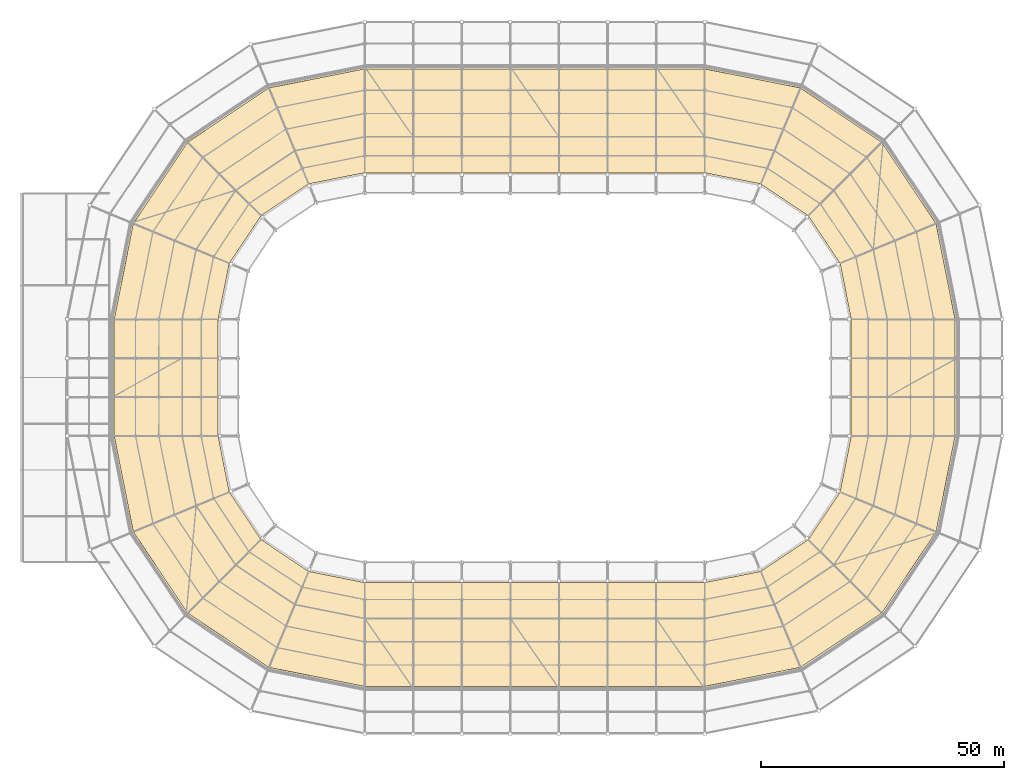
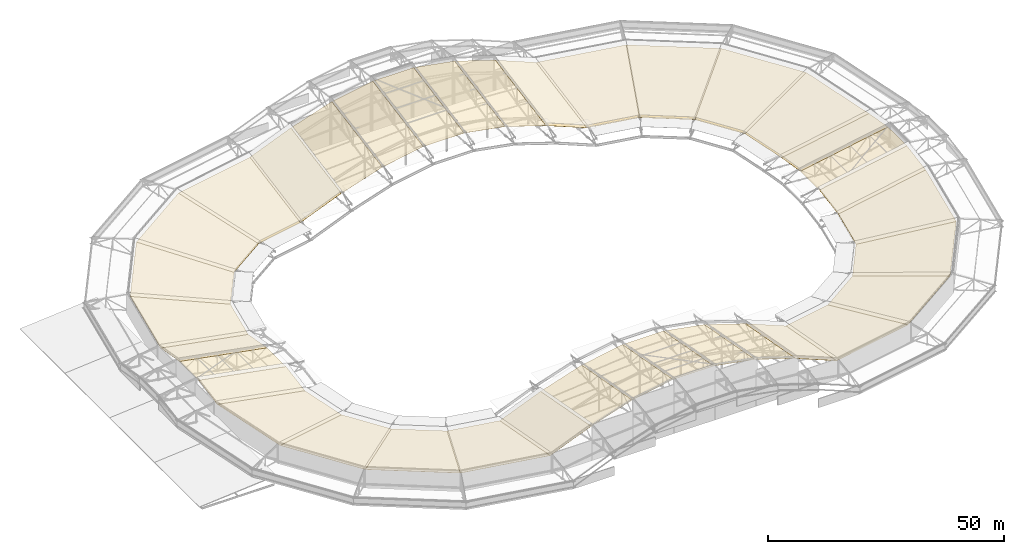
# One storey, part 146 of 146: 36 coverings, 1 element without a shape of its own.
"""IFC4 building model written with IfcOpenShell, lengths in metres."""

import ifcopenshell
import ifcopenshell.guid

model = None  # the IFC model being written
_history = None  # IfcOwnerHistory: only IFC2X3 demands one
_inside = {}  # id of a spatial element -> (the spatial element, [elements in it])
_under = {}  # id of a project, library or spatial element -> (it, [spatial elements below it])
_declared = {}  # id of a project -> (the project, [libraries it declares])
_typed = {}  # id of a type object -> (the type object, [elements of that type])
_made_of = {}  # id of a material, layer set ... -> (it, [elements and type objects made of it])


def new_model(schema):
    """Start an empty IFC model of exactly this schema.

    Asked for "IFC4X3", IfcOpenShell would pick the latest addendum, in which some entities
    have other attributes; the version numbers below select the first issue.
    IFC2X3 requires an IfcOwnerHistory on every rooted entity: one is made here for all.
    """
    global model, _history
    if schema == "IFC4X3":
        model = ifcopenshell.file(schema_version=(4, 3, 0, 0))
    else:
        model = ifcopenshell.file(schema=schema)
    _inside.clear()
    _under.clear()
    _declared.clear()
    _typed.clear()
    _made_of.clear()
    _history = None
    if model.schema == "IFC2X3":
        org = make("IfcOrganization", Name="unknown")
        user = make(
            "IfcPersonAndOrganization",
            ThePerson=make("IfcPerson", FamilyName="unknown"),
            TheOrganization=org,
        )
        app = make(
            "IfcApplication",
            ApplicationDeveloper=org,
            Version="unknown",
            ApplicationFullName="unknown",
            ApplicationIdentifier="unknown",
        )
        _history = make(
            "IfcOwnerHistory",
            OwningUser=user,
            OwningApplication=app,
            ChangeAction="ADDED",
            CreationDate=0,
        )
    return model


def make(cls, **values):
    """One entity of the class cls with the attributes given. An attribute that is None is left unset."""
    return model.create_entity(
        cls, **{name: value for name, value in values.items() if value is not None}
    )


def rooted(cls, **values):
    """An entity with a GlobalId (a new one), such as an element, a storey or a relation."""
    return make(cls, GlobalId=ifcopenshell.guid.new(), OwnerHistory=_history, **values)


def si_unit(unit_type, name, prefix=None):
    """IfcSIUnit, for example si_unit("LENGTHUNIT", "METRE", prefix="MILLI")."""
    return make("IfcSIUnit", UnitType=unit_type, Prefix=prefix, Name=name)


def assignment(units):
    """IfcUnitAssignment: the units of a project."""
    return None if units is None else make("IfcUnitAssignment", Units=units)


def point(xyz):
    """IfcCartesianPoint."""
    return None if xyz is None else make("IfcCartesianPoint", Coordinates=xyz)


def direction(xyz):
    """IfcDirection."""
    return None if xyz is None else make("IfcDirection", DirectionRatios=xyz)


def frame(location, z_axis=None, x_axis=None):
    """IfcAxis2Placement3D, a coordinate frame: its origin and axes. An axis left out is left unset."""
    return make(
        "IfcAxis2Placement3D",
        Location=point(location),
        Axis=direction(z_axis),
        RefDirection=direction(x_axis),
    )


def origin():
    """The frame at (0, 0, 0) with its axes left unset."""
    return frame((0.0, 0.0, 0.0))


def place(relative_to, where):
    """IfcLocalPlacement: puts the frame where relative to a parent placement (None: the world)."""
    return make(
        "IfcLocalPlacement", PlacementRelTo=relative_to, RelativePlacement=where
    )


def context(
    kind, dimensions, precision=None, world=None, true_north=None, identifier=None
):
    """IfcGeometricRepresentationContext, for example the 3D "Model" context."""
    return make(
        "IfcGeometricRepresentationContext",
        ContextIdentifier=identifier,
        ContextType=kind,
        CoordinateSpaceDimension=dimensions,
        Precision=precision,
        WorldCoordinateSystem=world,
        TrueNorth=true_north,
    )


def subcontext(parent, identifier, kind, view, scale=None):
    """IfcGeometricRepresentationSubContext, for example "Body" below "Model"."""
    return make(
        "IfcGeometricRepresentationSubContext",
        ContextIdentifier=identifier,
        ContextType=kind,
        ParentContext=parent,
        TargetScale=scale,
        TargetView=view,
    )


def project(units=None, contexts=None):
    """IfcProject with its units and contexts."""
    return rooted(
        "IfcProject",
        Name="project",
        RepresentationContexts=contexts,
        UnitsInContext=assignment(units),
    )


def spatial(cls, under=None, at=None, **own):
    """A site, building, storey or space (cls), placed at a placement, below another one or the project."""
    s = rooted(cls, ObjectPlacement=at, **own)
    if under is not None:
        _under.setdefault(under.id(), (under, []))[1].append(s)
    return s


def polyline(points):
    """IfcPolyline through the points."""
    return make("IfcPolyline", Points=[point(p) for p in points])


def outline(outer, holes=None, kind="AREA"):
    """IfcArbitraryClosedProfileDef: a profile drawn as a closed curve; with holes, ...WithVoids."""
    if holes is None:
        return make("IfcArbitraryClosedProfileDef", ProfileType=kind, OuterCurve=outer)
    return make(
        "IfcArbitraryProfileDefWithVoids",
        ProfileType=kind,
        OuterCurve=outer,
        InnerCurves=holes,
    )


def extrude(swept, where, along, depth):
    """IfcExtrudedAreaSolid: the profile swept, set in the frame where, extruded along a direction by depth."""
    return make(
        "IfcExtrudedAreaSolid",
        SweptArea=swept,
        Position=where,
        ExtrudedDirection=direction(along),
        Depth=depth,
    )


def shape(context_of_items, identifier, shape_type, items):
    """IfcShapeRepresentation: the items that make up one representation, for example the "Body"."""
    return make(
        "IfcShapeRepresentation",
        ContextOfItems=context_of_items,
        RepresentationIdentifier=identifier,
        RepresentationType=shape_type,
        Items=items,
    )


def material(Name=None, Category=None):
    """IfcMaterial."""
    return make("IfcMaterial", Name=Name, Category=Category)


def layer(
    of_material, thickness, ventilated=None, Name=None, Category=None, Priority=None
):
    """IfcMaterialLayer: one layer of a wall or slab, of a material (None: an air gap)."""
    return make(
        "IfcMaterialLayer",
        Material=of_material,
        LayerThickness=thickness,
        IsVentilated=ventilated,
        Name=Name,
        Category=Category,
        Priority=Priority,
    )


def layer_set(layers, Name=None):
    """IfcMaterialLayerSet."""
    return make("IfcMaterialLayerSet", MaterialLayers=layers, LayerSetName=Name)


def made_of(thing, what):
    """Note that an element or type object is made of a material, layer set ...; save() writes the relation."""
    if what is not None:
        _made_of.setdefault(what.id(), (what, []))[1].append(thing)
    return thing


def type_object(cls, material=None, **own):
    """A type object (cls), such as IfcWallType, which elements share."""
    return made_of(rooted(cls, **own), material)


def element(
    cls,
    number,
    at=None,
    inside=None,
    cuts=None,
    type_object=None,
    material=None,
    context=None,
    identifier="Body",
    shape_type=None,
    held_by="IfcProductDefinitionShape",
    body=None,
    shapes=None,
    **own,
):
    """One element of the class cls, such as IfcWall. Its Tag is "e" and its number.

    at: its placement. inside: the storey or other place that contains it. cuts: it is an
    opening in that element (IfcRelVoidsElement). A single representation is given by context,
    identifier, shape_type and body (its items); several are given by shapes. held_by: the class
    of the entity that holds the representations. save() writes the other relations.
    """
    e = rooted(cls, Tag="e%d" % number, ObjectPlacement=at, **own)
    if body is not None:
        shapes = [shape(context, identifier, shape_type, body)]
    if shapes is not None:
        e.Representation = make(held_by, Representations=shapes)
    if inside is not None:
        _inside.setdefault(inside.id(), (inside, []))[1].append(e)
    if cuts is not None:
        rooted(
            "IfcRelVoidsElement", RelatingBuildingElement=cuts, RelatedOpeningElement=e
        )
    if type_object is not None:
        _typed.setdefault(type_object.id(), (type_object, []))[1].append(e)
    return made_of(e, material)


def aggregate(whole, parts):
    """IfcRelAggregates: a whole, such as a stair, and the parts it consists of."""
    return rooted("IfcRelAggregates", RelatingObject=whole, RelatedObjects=parts)


def save(model, path):
    """Write the relations noted so far, then the file.

    IfcRelAggregates (storeys below a building ...), IfcRelContainedInSpatialStructure (elements
    in a storey), IfcRelDefinesByType, IfcRelAssociatesMaterial and IfcRelDeclares: one each for
    every whole, place, type object, material and project.
    """
    for whole, parts in _under.values():
        aggregate(whole, parts)
    for where, things in _inside.values():
        rooted(
            "IfcRelContainedInSpatialStructure",
            RelatedElements=things,
            RelatingStructure=where,
        )
    for kind, things in _typed.values():
        rooted("IfcRelDefinesByType", RelatedObjects=things, RelatingType=kind)
    for what, things in _made_of.values():
        rooted("IfcRelAssociatesMaterial", RelatedObjects=things, RelatingMaterial=what)
    for by, libraries in _declared.values():
        rooted("IfcRelDeclares", RelatingContext=by, RelatedDefinitions=libraries)
    model.write(path)


model = new_model("IFC4")

# Units and contexts
model_context = context("Model", 3, precision=1e-05, world=origin(), true_north=direction((0.0, 1.0)))
body_context = subcontext(model_context, "Body", "Model", "MODEL_VIEW")
ifc_project = project(units=[si_unit("LENGTHUNIT", "METRE"), si_unit("AREAUNIT", "SQUARE_METRE"), si_unit("VOLUMEUNIT", "CUBIC_METRE"), si_unit("PLANEANGLEUNIT", "RADIAN"), si_unit("MASSUNIT", "GRAM", prefix="KILO")], contexts=[model_context])

# Site, building, storey
site_placement = place(None, origin())
site = spatial("IfcSite", under=ifc_project, at=site_placement, CompositionType="ELEMENT")
building_placement = place(site_placement, origin())
building = spatial("IfcBuilding", under=site, at=building_placement, Name="Candeia Ridge Stadium", CompositionType="ELEMENT")
storey_placement = place(building_placement, frame((0.0, 0.0, 31.800048828125)))
storey = spatial("IfcBuildingStorey", under=building, at=storey_placement, Name="RF", CompositionType="ELEMENT", Elevation=31.800048828125)

# Roof, coverings
ifc_material_1 = material(Name="Steel ASTM A572 Grade 50", Category="steel")
roof_type = type_object("IfcRoofType", Name="Stadium Saddle Roof Assembly", PredefinedType="FREEFORM", material=ifc_material_1)
roof_placement = place(storey_placement, origin())
roof = element("IfcRoof", 1, at=roof_placement, inside=storey, type_object=roof_type, Name="Stadium floating saddle roof assembly", PredefinedType="FREEFORM")
ifc_material_2 = material(Name="Aluminium Anodized Warm Bronze", Category="aluminium")
ifc_layer = layer(ifc_material_2, 0.034912109375, Name="Aluminium Anodized Warm Bronze", Category="aluminium")
ifc_layer_set = layer_set([ifc_layer], Name="Aluminium Anodized Warm Bronze")
covering_type = type_object("IfcCoveringType", Name="Warm-Bronze Anodized Metal Soffit Lining", PredefinedType="CEILING", material=ifc_layer_set)
covering_1_placement = place(storey_placement, frame((141.0, 125.199951171875, -0.012939453125), z_axis=(0.37221636508, -0.168840244836, 0.912659821232), x_axis=(-0.925953334807, 0.0, 0.377637950634)))
covering_1 = element("IfcCovering", 2, at=covering_1_placement, type_object=covering_type, Name="Canopy warm-bronze metal soffit panel 01", PredefinedType="CEILING", context=body_context, shape_type="SweptSolid", body=[
    extrude(outline(polyline([(0.0, 0.0), (10.799680312268613, 0.0), (12.294743058234733, -21.71185423264964), (1.4950627459661197, -21.71185423264964), (0.0, 0.0)])), origin(), (0.0, 0.0, -1.0), 0.034912109375),
])
covering_2_placement = place(storey_placement, frame((131.0, 125.199951171875, 4.0654296875), z_axis=(0.306172558065, -0.173175198828, 0.936092257846), x_axis=(-0.950452613264, 0.0, 0.310869474119)))
covering_2 = element("IfcCovering", 3, at=covering_2_placement, type_object=covering_type, Name="Canopy warm-bronze metal soffit panel 02", PredefinedType="CEILING", context=body_context, shape_type="SweptSolid", body=[
    extrude(outline(polyline([(0.0, 0.0), (10.521303072284867, 0.0), (11.752030462985397, -21.728440738441893), (1.2307273907005285, -21.728440738441897), (0.0, 0.0)])), origin(), (0.0, 0.0, -1.0), 0.034912109375),
])
covering_3_placement = place(storey_placement, frame((121.0, 125.199951171875, 7.336181640625), z_axis=(0.175712865091, -0.179081027245, 0.968015999208), x_axis=(-0.983921755211, 0.0, 0.178600054932)))
covering_3 = element("IfcCovering", 4, at=covering_3_placement, type_object=covering_type, Name="Canopy warm-bronze metal soffit panel 03", PredefinedType="CEILING", context=body_context, shape_type="SweptSolid", body=[
    extrude(outline(polyline([(0.0, 0.0), (10.16340979049767, 0.0), (10.870484617345921, -21.751778594483703), (0.7070748268482507, -21.751778594483703), (0.0, 0.0)])), origin(), (0.0, 0.0, -1.0), 0.034912109375),
])
covering_4_placement = place(storey_placement, frame((111.0, 125.199951171875, 9.1513671875), z_axis=(0.0, -0.181911301424, 0.983314943655), x_axis=(-1.0, 0.0, 0.0)))
covering_4 = element("IfcCovering", 5, at=covering_4_placement, type_object=covering_type, Name="Canopy warm-bronze metal soffit panel 04", PredefinedType="CEILING", context=body_context, shape_type="SweptSolid", body=[
    extrude(outline(polyline([(0.0, 0.0), (10.0, 0.0), (10.0, -21.7632678344545), (0.0, -21.7632678344545), (0.0, 0.0)])), origin(), (0.0, 0.0, -1.0), 0.034912109375),
])
covering_5_placement = place(storey_placement, frame((101.0, 125.199951171875, 9.1513671875), z_axis=(-0.175712865091, -0.179081027245, 0.968015999208), x_axis=(-0.983921755211, 0.0, -0.178600054932)))
covering_5 = element("IfcCovering", 6, at=covering_5_placement, type_object=covering_type, Name="Canopy warm-bronze metal soffit panel 05", PredefinedType="CEILING", context=body_context, shape_type="SweptSolid", body=[
    extrude(outline(polyline([(0.0, 0.0), (10.16340979049767, 0.0), (9.45633496364942, -21.751778594483703), (-0.7070748268482507, -21.751778594483703), (0.0, 0.0)])), origin(), (0.0, 0.0, -1.0), 0.034912109375),
])
covering_6_placement = place(storey_placement, frame((91.0, 125.199951171875, 7.336181640625), z_axis=(-0.306172558065, -0.173175198828, 0.936092257846), x_axis=(-0.950452613264, 0.0, -0.310869474119)))
covering_6 = element("IfcCovering", 7, at=covering_6_placement, type_object=covering_type, Name="Canopy warm-bronze metal soffit panel 06", PredefinedType="CEILING", context=body_context, shape_type="SweptSolid", body=[
    extrude(outline(polyline([(0.0, 0.0), (10.521303072284867, 0.0), (9.29057568158434, -21.728440738441897), (-1.2307273907005285, -21.728440738441897), (0.0, 0.0)])), origin(), (0.0, 0.0, -1.0), 0.034912109375),
])
covering_7_placement = place(storey_placement, frame((81.0, 125.199951171875, 4.0654296875), z_axis=(-0.37221636508, -0.168840244836, 0.912659821232), x_axis=(-0.925953334807, 0.0, -0.377637950634)))
covering_7 = element("IfcCovering", 8, at=covering_7_placement, type_object=covering_type, Name="Canopy warm-bronze metal soffit panel 07", PredefinedType="CEILING", context=body_context, shape_type="SweptSolid", body=[
    extrude(outline(polyline([(0.0, 0.0), (10.799680312268613, 0.0), (9.304617566302495, -21.71185423264964), (-1.4950627459661197, -21.71185423264964), (0.0, 0.0)])), origin(), (0.0, 0.0, -1.0), 0.034912109375),
])
covering_8_placement = place(storey_placement, frame((71.0, 125.199951171875, -0.012939453125), z_axis=(0.036161500944, -0.181792889671, 0.982671710753), x_axis=(-0.980785692518, -0.195088250163, 1.044101e-06)))
covering_8 = element("IfcCovering", 9, at=covering_8_placement, type_object=covering_type, Name="Canopy warm-bronze metal soffit panel 08", PredefinedType="CEILING", context=body_context, shape_type="SweptSolid", body=[
    extrude(outline(polyline([(0.0, 0.0), (11.78354103416344, 4.440892098500626e-16), (15.958554590382505, -21.358891546903234), (-4.174912997283965, -21.359071335129588), (0.0, 0.0)])), origin(), (0.0, 0.0, -1.0), 0.034912109375),
])
covering_9_placement = place(storey_placement, frame((59.44287109375, 122.901123046875, -0.012939453125), z_axis=(0.102976471099, -0.154118044198, 0.982671600715), x_axis=(-0.831476032273, -0.555560624734, 5.60401e-07)))
covering_9 = element("IfcCovering", 10, at=covering_9_placement, type_object=covering_type, Name="Canopy warm-bronze metal soffit panel 09", PredefinedType="CEILING", context=body_context, shape_type="SweptSolid", body=[
    extrude(outline(polyline([(0.0, 0.0), (11.783390440130605, 0.0), (15.958566700423075, -21.35886596845709), (-4.174650731974358, -21.358962464809125), (0.0, 0.0)])), origin(), (0.0, 0.0, -1.0), 0.034912109375),
])
covering_10_placement = place(storey_placement, frame((49.645263671875, 116.354736328125, -0.012939453125), z_axis=(0.154118044198, -0.102976471099, 0.982671600715), x_axis=(-0.555560624734, -0.831476032273, -5.60401e-07)))
covering_10 = element("IfcCovering", 11, at=covering_10_placement, type_object=covering_type, Name="Canopy warm-bronze metal soffit panel 10", PredefinedType="CEILING", context=body_context, shape_type="SweptSolid", body=[
    extrude(outline(polyline([(0.0, 0.0), (11.783390440130605, 0.0), (15.958041172104963, -21.358962464809125), (-4.175176260292467, -21.35886596845709), (0.0, 0.0)])), origin(), (0.0, 0.0, -1.0), 0.034912109375),
])
covering_11_placement = place(storey_placement, frame((43.098876953125, 106.55712890625, -0.012939453125), z_axis=(0.181792889671, -0.036161500944, 0.982671710753), x_axis=(-0.195088250163, -0.980785692518, -1.044101e-06)))
covering_11 = element("IfcCovering", 12, at=covering_11_placement, type_object=covering_type, Name="Canopy warm-bronze metal soffit panel 11", PredefinedType="CEILING", context=body_context, shape_type="SweptSolid", body=[
    extrude(outline(polyline([(0.0, 0.0), (11.78354103416344, -4.440892098500626e-16), (15.958454031447406, -21.359071335129588), (-4.175013556219067, -21.358891546903234), (0.0, 0.0)])), origin(), (0.0, 0.0, -1.0), 0.034912109375),
])
covering_12_placement = place(storey_placement, frame((40.800048828125, 95.0, -0.012939453125), z_axis=(0.179329494283, 0.167880638795, 0.969359078772), x_axis=(0.0, -0.985332231491, 0.170646985282)))
covering_12 = element("IfcCovering", 13, at=covering_12_placement, type_object=covering_type, Name="Canopy warm-bronze metal soffit panel 12", PredefinedType="CEILING", context=body_context, shape_type="SweptSolid", body=[
    extrude(outline(polyline([(0.0, 0.0), (8.119088916737791, 2.7755575615628914e-17), (8.794677665108718, -21.75277928627228), (0.6755887483709262, -21.75277928627228), (0.0, 0.0)])), origin(), (0.0, 0.0, -1.0), 0.034912109375),
])
covering_13_placement = place(storey_placement, frame((40.800048828125, 87.0, 1.37255859375), z_axis=(0.181911301424, 0.0, 0.983314943655), x_axis=(0.0, -1.0, 0.0)))
covering_13 = element("IfcCovering", 14, at=covering_13_placement, type_object=covering_type, Name="Canopy warm-bronze metal soffit panel 13", PredefinedType="CEILING", context=body_context, shape_type="SweptSolid", body=[
    extrude(outline(polyline([(0.0, 0.0), (8.0, 0.0), (8.0, -21.7632678344545), (0.0, -21.7632678344545), (0.0, 0.0)])), origin(), (0.0, 0.0, -1.0), 0.034912109375),
])
covering_14_placement = place(storey_placement, frame((40.800048828125, 79.0, 1.37255859375), z_axis=(0.179329494283, -0.167880638795, 0.969359078772), x_axis=(0.0, -0.985332231491, -0.170646985282)))
covering_14 = element("IfcCovering", 15, at=covering_14_placement, type_object=covering_type, Name="Canopy warm-bronze metal soffit panel 14", PredefinedType="CEILING", context=body_context, shape_type="SweptSolid", body=[
    extrude(outline(polyline([(0.0, 0.0), (8.119088916737791, -2.7755575615628914e-17), (7.443500168366866, -21.752779286272283), (-0.6755887483709262, -21.75277928627228), (0.0, 0.0)])), origin(), (0.0, 0.0, -1.0), 0.034912109375),
])
covering_15_placement = place(storey_placement, frame((40.800048828125, 71.0, -0.012939453125), z_axis=(0.181792889671, 0.036161500944, 0.982671710753), x_axis=(0.195088250163, -0.980785692518, 1.044101e-06)))
covering_15 = element("IfcCovering", 16, at=covering_15_placement, type_object=covering_type, Name="Canopy warm-bronze metal soffit panel 15", PredefinedType="CEILING", context=body_context, shape_type="SweptSolid", body=[
    extrude(outline(polyline([(0.0, 0.0), (11.78354103416344, 4.440892098500626e-16), (15.958554590382505, -21.358891546903234), (-4.174912997283965, -21.359071335129588), (0.0, 0.0)])), origin(), (0.0, 0.0, -1.0), 0.034912109375),
])
covering_16_placement = place(storey_placement, frame((43.098876953125, 59.44287109375, -0.012939453125), z_axis=(0.154118044198, 0.102976471099, 0.982671600715), x_axis=(0.555560624734, -0.831476032273, 5.60401e-07)))
covering_16 = element("IfcCovering", 17, at=covering_16_placement, type_object=covering_type, Name="Canopy warm-bronze metal soffit panel 16", PredefinedType="CEILING", context=body_context, shape_type="SweptSolid", body=[
    extrude(outline(polyline([(0.0, 0.0), (11.783390440130605, 0.0), (15.958566700423075, -21.35886596845709), (-4.174650731974358, -21.358962464809125), (0.0, 0.0)])), origin(), (0.0, 0.0, -1.0), 0.034912109375),
])
covering_17_placement = place(storey_placement, frame((49.645263671875, 49.645263671875, -0.012939453125), z_axis=(0.102976471099, 0.154118044198, 0.982671600715), x_axis=(0.831476032273, -0.555560624734, -5.60401e-07)))
covering_17 = element("IfcCovering", 18, at=covering_17_placement, type_object=covering_type, Name="Canopy warm-bronze metal soffit panel 17", PredefinedType="CEILING", context=body_context, shape_type="SweptSolid", body=[
    extrude(outline(polyline([(0.0, 0.0), (11.783390440130605, 0.0), (15.958041172104963, -21.358962464809125), (-4.175176260292467, -21.35886596845709), (0.0, 0.0)])), origin(), (0.0, 0.0, -1.0), 0.034912109375),
])
covering_18_placement = place(storey_placement, frame((59.44287109375, 43.098876953125, -0.012939453125), z_axis=(0.036161500944, 0.181792889671, 0.982671710753), x_axis=(0.980785692518, -0.195088250163, -1.044101e-06)))
covering_18 = element("IfcCovering", 19, at=covering_18_placement, type_object=covering_type, Name="Canopy warm-bronze metal soffit panel 18", PredefinedType="CEILING", context=body_context, shape_type="SweptSolid", body=[
    extrude(outline(polyline([(0.0, 0.0), (11.78354103416344, -4.440892098500626e-16), (15.958454031447406, -21.359071335129588), (-4.175013556219067, -21.358891546903234), (0.0, 0.0)])), origin(), (0.0, 0.0, -1.0), 0.034912109375),
])
covering_19_placement = place(storey_placement, frame((71.0, 40.800048828125, -0.012939453125), z_axis=(-0.37221636508, 0.168840244836, 0.912659821232), x_axis=(0.925953334807, 0.0, 0.377637950634)))
covering_19 = element("IfcCovering", 20, at=covering_19_placement, type_object=covering_type, Name="Canopy warm-bronze metal soffit panel 19", PredefinedType="CEILING", context=body_context, shape_type="SweptSolid", body=[
    extrude(outline(polyline([(0.0, 0.0), (10.799680312268613, 0.0), (12.294743058234733, -21.71185423264964), (1.4950627459661197, -21.71185423264964), (0.0, 0.0)])), origin(), (0.0, 0.0, -1.0), 0.034912109375),
])
covering_20_placement = place(storey_placement, frame((81.0, 40.800048828125, 4.0654296875), z_axis=(-0.306172558065, 0.173175198828, 0.936092257846), x_axis=(0.950452613264, 0.0, 0.310869474119)))
covering_20 = element("IfcCovering", 21, at=covering_20_placement, type_object=covering_type, Name="Canopy warm-bronze metal soffit panel 20", PredefinedType="CEILING", context=body_context, shape_type="SweptSolid", body=[
    extrude(outline(polyline([(0.0, 0.0), (10.521303072284867, 0.0), (11.752030462985397, -21.728440738441893), (1.2307273907005285, -21.728440738441897), (0.0, 0.0)])), origin(), (0.0, 0.0, -1.0), 0.034912109375),
])
covering_21_placement = place(storey_placement, frame((91.0, 40.800048828125, 7.336181640625), z_axis=(-0.175712865091, 0.179081027245, 0.968015999208), x_axis=(0.983921755211, 0.0, 0.178600054932)))
covering_21 = element("IfcCovering", 22, at=covering_21_placement, type_object=covering_type, Name="Canopy warm-bronze metal soffit panel 21", PredefinedType="CEILING", context=body_context, shape_type="SweptSolid", body=[
    extrude(outline(polyline([(0.0, 0.0), (10.16340979049767, 0.0), (10.870484617345921, -21.751778594483703), (0.7070748268482507, -21.751778594483703), (0.0, 0.0)])), origin(), (0.0, 0.0, -1.0), 0.034912109375),
])
covering_22_placement = place(storey_placement, frame((101.0, 40.800048828125, 9.1513671875), z_axis=(0.0, 0.181911301424, 0.983314943655), x_axis=(1.0, 0.0, 0.0)))
covering_22 = element("IfcCovering", 23, at=covering_22_placement, type_object=covering_type, Name="Canopy warm-bronze metal soffit panel 22", PredefinedType="CEILING", context=body_context, shape_type="SweptSolid", body=[
    extrude(outline(polyline([(0.0, 0.0), (10.0, 0.0), (10.0, -21.7632678344545), (0.0, -21.7632678344545), (0.0, 0.0)])), origin(), (0.0, 0.0, -1.0), 0.034912109375),
])
covering_23_placement = place(storey_placement, frame((111.0, 40.800048828125, 9.1513671875), z_axis=(0.175712865091, 0.179081027245, 0.968015999208), x_axis=(0.983921755211, 0.0, -0.178600054932)))
covering_23 = element("IfcCovering", 24, at=covering_23_placement, type_object=covering_type, Name="Canopy warm-bronze metal soffit panel 23", PredefinedType="CEILING", context=body_context, shape_type="SweptSolid", body=[
    extrude(outline(polyline([(0.0, 0.0), (10.16340979049767, 0.0), (9.45633496364942, -21.751778594483703), (-0.7070748268482507, -21.751778594483703), (0.0, 0.0)])), origin(), (0.0, 0.0, -1.0), 0.034912109375),
])
covering_24_placement = place(storey_placement, frame((121.0, 40.800048828125, 7.336181640625), z_axis=(0.306172558065, 0.173175198828, 0.936092257846), x_axis=(0.950452613264, 0.0, -0.310869474119)))
covering_24 = element("IfcCovering", 25, at=covering_24_placement, type_object=covering_type, Name="Canopy warm-bronze metal soffit panel 24", PredefinedType="CEILING", context=body_context, shape_type="SweptSolid", body=[
    extrude(outline(polyline([(0.0, 0.0), (10.521303072284867, 0.0), (9.29057568158434, -21.728440738441897), (-1.2307273907005285, -21.728440738441897), (0.0, 0.0)])), origin(), (0.0, 0.0, -1.0), 0.034912109375),
])
covering_25_placement = place(storey_placement, frame((131.0, 40.800048828125, 4.0654296875), z_axis=(0.37221636508, 0.168840244836, 0.912659821232), x_axis=(0.925953334807, 0.0, -0.377637950634)))
covering_25 = element("IfcCovering", 26, at=covering_25_placement, type_object=covering_type, Name="Canopy warm-bronze metal soffit panel 25", PredefinedType="CEILING", context=body_context, shape_type="SweptSolid", body=[
    extrude(outline(polyline([(0.0, 0.0), (10.799680312268613, 0.0), (9.304617566302495, -21.71185423264964), (-1.4950627459661197, -21.71185423264964), (0.0, 0.0)])), origin(), (0.0, 0.0, -1.0), 0.034912109375),
])
covering_26_placement = place(storey_placement, frame((141.0, 40.800048828125, -0.012939453125), z_axis=(-0.036161500944, 0.181792889671, 0.982671710753), x_axis=(0.980785692518, 0.195088250163, 1.044101e-06)))
covering_26 = element("IfcCovering", 27, at=covering_26_placement, type_object=covering_type, Name="Canopy warm-bronze metal soffit panel 26", PredefinedType="CEILING", context=body_context, shape_type="SweptSolid", body=[
    extrude(outline(polyline([(0.0, 0.0), (11.78354103416344, 4.440892098500626e-16), (15.958554590382505, -21.358891546903234), (-4.174912997283965, -21.359071335129588), (0.0, 0.0)])), origin(), (0.0, 0.0, -1.0), 0.034912109375),
])
covering_27_placement = place(storey_placement, frame((152.55712890625, 43.098876953125, -0.012939453125), z_axis=(-0.102976471099, 0.154118044198, 0.982671600715), x_axis=(0.831476032273, 0.555560624734, 5.60401e-07)))
covering_27 = element("IfcCovering", 28, at=covering_27_placement, type_object=covering_type, Name="Canopy warm-bronze metal soffit panel 27", PredefinedType="CEILING", context=body_context, shape_type="SweptSolid", body=[
    extrude(outline(polyline([(0.0, 0.0), (11.783390440130605, 0.0), (15.958566700423075, -21.35886596845709), (-4.174650731974358, -21.358962464809125), (0.0, 0.0)])), origin(), (0.0, 0.0, -1.0), 0.034912109375),
])
covering_28_placement = place(storey_placement, frame((162.354736328125, 49.645263671875, -0.012939453125), z_axis=(-0.154118044198, 0.102976471099, 0.982671600715), x_axis=(0.555560624734, 0.831476032273, -5.60401e-07)))
covering_28 = element("IfcCovering", 29, at=covering_28_placement, type_object=covering_type, Name="Canopy warm-bronze metal soffit panel 28", PredefinedType="CEILING", context=body_context, shape_type="SweptSolid", body=[
    extrude(outline(polyline([(0.0, 0.0), (11.783390440130605, 0.0), (15.958041172104963, -21.358962464809125), (-4.175176260292467, -21.35886596845709), (0.0, 0.0)])), origin(), (0.0, 0.0, -1.0), 0.034912109375),
])
covering_29_placement = place(storey_placement, frame((168.901123046875, 59.44287109375, -0.012939453125), z_axis=(-0.181792889671, 0.036161500944, 0.982671710753), x_axis=(0.195088250163, 0.980785692518, -1.044101e-06)))
covering_29 = element("IfcCovering", 30, at=covering_29_placement, type_object=covering_type, Name="Canopy warm-bronze metal soffit panel 29", PredefinedType="CEILING", context=body_context, shape_type="SweptSolid", body=[
    extrude(outline(polyline([(0.0, 0.0), (11.78354103416344, -4.440892098500626e-16), (15.958454031447406, -21.359071335129588), (-4.175013556219067, -21.358891546903234), (0.0, 0.0)])), origin(), (0.0, 0.0, -1.0), 0.034912109375),
])
covering_30_placement = place(storey_placement, frame((171.199951171875, 71.0, -0.012939453125), z_axis=(-0.179329494283, -0.167880638795, 0.969359078772), x_axis=(0.0, 0.985332231491, 0.170646985282)))
covering_30 = element("IfcCovering", 31, at=covering_30_placement, type_object=covering_type, Name="Canopy warm-bronze metal soffit panel 30", PredefinedType="CEILING", context=body_context, shape_type="SweptSolid", body=[
    extrude(outline(polyline([(0.0, 0.0), (8.119088916737791, 2.7755575615628914e-17), (8.794677665108718, -21.75277928627228), (0.6755887483709262, -21.75277928627228), (0.0, 0.0)])), origin(), (0.0, 0.0, -1.0), 0.034912109375),
])
covering_31_placement = place(storey_placement, frame((171.199951171875, 79.0, 1.37255859375), z_axis=(-0.181911301424, 0.0, 0.983314943655), x_axis=(0.0, 1.0, 0.0)))
covering_31 = element("IfcCovering", 32, at=covering_31_placement, type_object=covering_type, Name="Canopy warm-bronze metal soffit panel 31", PredefinedType="CEILING", context=body_context, shape_type="SweptSolid", body=[
    extrude(outline(polyline([(0.0, 0.0), (8.0, 0.0), (8.0, -21.7632678344545), (0.0, -21.7632678344545), (0.0, 0.0)])), origin(), (0.0, 0.0, -1.0), 0.034912109375),
])
covering_32_placement = place(storey_placement, frame((171.199951171875, 87.0, 1.37255859375), z_axis=(-0.179329494283, 0.167880638795, 0.969359078772), x_axis=(0.0, 0.985332231491, -0.170646985282)))
covering_32 = element("IfcCovering", 33, at=covering_32_placement, type_object=covering_type, Name="Canopy warm-bronze metal soffit panel 32", PredefinedType="CEILING", context=body_context, shape_type="SweptSolid", body=[
    extrude(outline(polyline([(0.0, 0.0), (8.119088916737791, -2.7755575615628914e-17), (7.443500168366866, -21.752779286272283), (-0.6755887483709262, -21.75277928627228), (0.0, 0.0)])), origin(), (0.0, 0.0, -1.0), 0.034912109375),
])
covering_33_placement = place(storey_placement, frame((171.199951171875, 95.0, -0.012939453125), z_axis=(-0.181792889671, -0.036161500944, 0.982671710753), x_axis=(-0.195088250163, 0.980785692518, 1.044101e-06)))
covering_33 = element("IfcCovering", 34, at=covering_33_placement, type_object=covering_type, Name="Canopy warm-bronze metal soffit panel 33", PredefinedType="CEILING", context=body_context, shape_type="SweptSolid", body=[
    extrude(outline(polyline([(0.0, 0.0), (11.78354103416344, 4.440892098500626e-16), (15.958554590382505, -21.358891546903234), (-4.174912997283965, -21.359071335129588), (0.0, 0.0)])), origin(), (0.0, 0.0, -1.0), 0.034912109375),
])
covering_34_placement = place(storey_placement, frame((168.901123046875, 106.55712890625, -0.012939453125), z_axis=(-0.154118044198, -0.102976471099, 0.982671600715), x_axis=(-0.555560624734, 0.831476032273, 5.60401e-07)))
covering_34 = element("IfcCovering", 35, at=covering_34_placement, type_object=covering_type, Name="Canopy warm-bronze metal soffit panel 34", PredefinedType="CEILING", context=body_context, shape_type="SweptSolid", body=[
    extrude(outline(polyline([(0.0, 0.0), (11.783390440130605, 0.0), (15.958566700423075, -21.35886596845709), (-4.174650731974358, -21.358962464809125), (0.0, 0.0)])), origin(), (0.0, 0.0, -1.0), 0.034912109375),
])
covering_35_placement = place(storey_placement, frame((162.354736328125, 116.354736328125, -0.012939453125), z_axis=(-0.102976471099, -0.154118044198, 0.982671600715), x_axis=(-0.831476032273, 0.555560624734, -5.60401e-07)))
covering_35 = element("IfcCovering", 36, at=covering_35_placement, type_object=covering_type, Name="Canopy warm-bronze metal soffit panel 35", PredefinedType="CEILING", context=body_context, shape_type="SweptSolid", body=[
    extrude(outline(polyline([(0.0, 0.0), (11.783390440130605, 0.0), (15.958041172104963, -21.358962464809125), (-4.175176260292467, -21.35886596845709), (0.0, 0.0)])), origin(), (0.0, 0.0, -1.0), 0.034912109375),
])
covering_36_placement = place(storey_placement, frame((152.55712890625, 122.901123046875, -0.012939453125), z_axis=(-0.036161500944, -0.181792889671, 0.982671710753), x_axis=(-0.980785692518, 0.195088250163, -1.044101e-06)))
covering_36 = element("IfcCovering", 37, at=covering_36_placement, type_object=covering_type, Name="Canopy warm-bronze metal soffit panel 36", PredefinedType="CEILING", context=body_context, shape_type="SweptSolid", body=[
    extrude(outline(polyline([(0.0, 0.0), (11.78354103416344, -4.440892098500626e-16), (15.958454031447406, -21.359071335129588), (-4.175013556219067, -21.358891546903234), (0.0, 0.0)])), origin(), (0.0, 0.0, -1.0), 0.034912109375),
])
aggregate(roof, [covering_1, covering_2, covering_3, covering_4, covering_5, covering_6, covering_7, covering_8, covering_9, covering_10, covering_11, covering_12, covering_13, covering_14, covering_15, covering_16, covering_17, covering_18, covering_19, covering_20, covering_21, covering_22, covering_23, covering_24, covering_25, covering_26, covering_27, covering_28, covering_29, covering_30, covering_31, covering_32, covering_33, covering_34, covering_35, covering_36])

save(model, "model.ifc")
